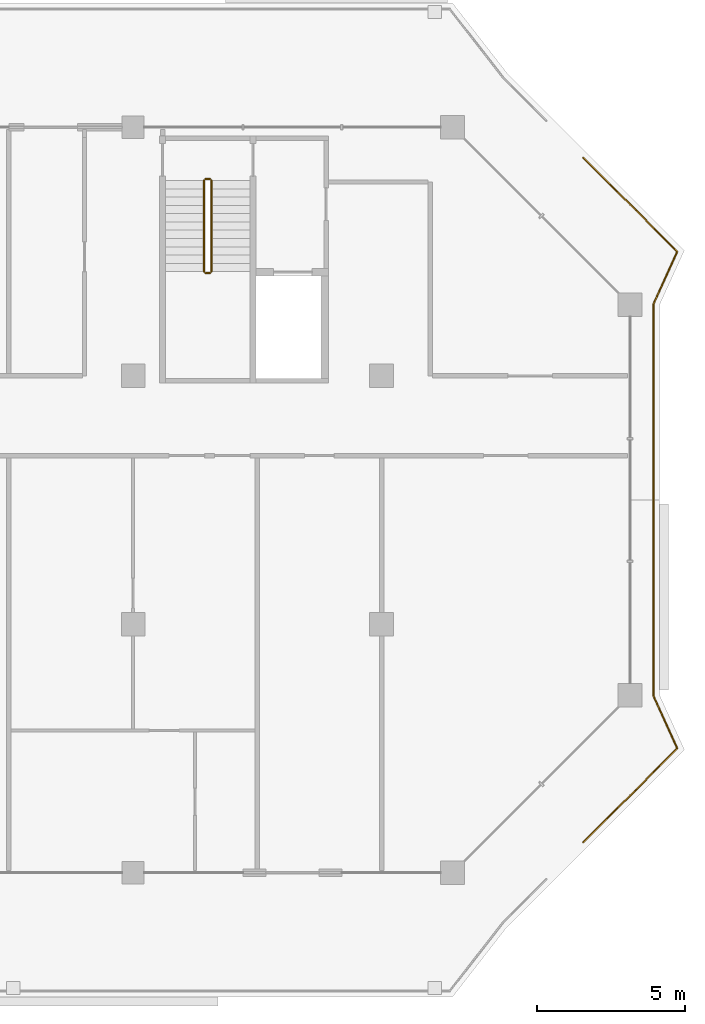
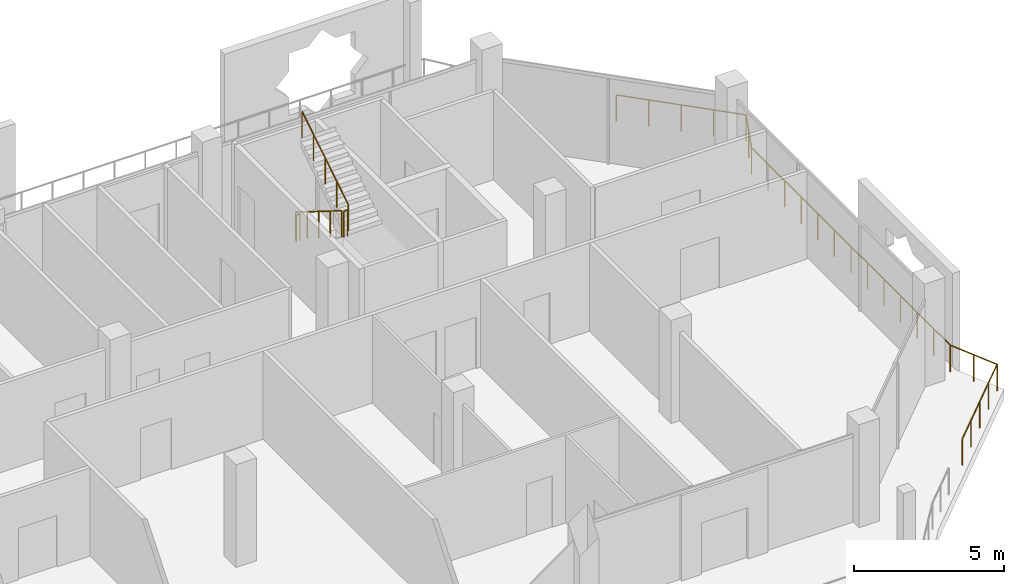
# One storey, part 19 of 20: 5 railings.
"""IFC4 building model written with IfcOpenShell, lengths in metres."""

from ifc_helpers import new_model, si_unit, direction, frame, origin, origin_2d, place, context, subcontext, project, spatial, circle, extrude, material, type_object, element, save


model = new_model("IFC4")

# Units and contexts
model_context = context("Model", 3, precision=1e-05, world=origin(), true_north=direction((0.0, 1.0)))
body_context = subcontext(model_context, "Body", "Model", "MODEL_VIEW")
ifc_project = project(units=[si_unit("LENGTHUNIT", "METRE"), si_unit("AREAUNIT", "SQUARE_METRE"), si_unit("VOLUMEUNIT", "CUBIC_METRE"), si_unit("PLANEANGLEUNIT", "RADIAN"), si_unit("MASSUNIT", "GRAM", prefix="KILO")], contexts=[model_context])

# Site, building, storey
site_placement = place(None, origin())
site = spatial("IfcSite", under=ifc_project, at=site_placement, CompositionType="ELEMENT")
building_placement = place(site_placement, origin())
building = spatial("IfcBuilding", under=site, at=building_placement, Name="Kawkab Arch Medical Tower", CompositionType="ELEMENT")
storey_placement = place(building_placement, frame((0.0, 0.0, 290.199951171875)))
storey = spatial("IfcBuildingStorey", under=building, at=storey_placement, Name="L67", CompositionType="ELEMENT", Elevation=290.199951171875)

# Railings
ifc_material_1 = material(Name="Bronze anodised aluminium guard", Category="aluminium")
railing_type_1 = type_object("IfcRailingType", Name="Loggia and terrace guard 1100", PredefinedType="GUARDRAIL", material=ifc_material_1)
railing_1_placement = place(storey_placement, frame((57.222900390625, -1.030029296875, 0.0)))
element("IfcRailing", 1, at=railing_1_placement, inside=storey, type_object=railing_type_1, Name="Guard L67.LOG-01.1.5", PredefinedType="GUARDRAIL", context=body_context, shape_type="SweptSolid", body=[
    extrude(circle(Radius=0.02392578125, at=origin_2d()), frame((0.0, 0.0, 1.076171875), z_axis=(0.707106781187, -0.707106781187, 0.0), x_axis=(0.707106781187, 0.707106781187, 0.0)), (0.0, 0.0, 1.0), 4.490234375),
    extrude(circle(Radius=0.02392578125, at=origin_2d()), frame((3.175048828125, -3.175048828125, 1.076171875), z_axis=(-0.414452581809, -0.910070907914, 0.0), x_axis=(0.910070907914, -0.414452581809, 0.0)), (0.0, 0.0, 1.0), 1.925048828125),
    extrude(circle(Radius=0.02392578125, at=origin_2d()), frame((2.377197265625, -4.927001953125, 1.076171875), z_axis=(0.0, -1.0, 0.0), x_axis=(1.0, 0.0, 0.0)), (0.0, 0.0, 1.0), 13.285888671875),
    extrude(circle(Radius=0.02392578125, at=origin_2d()), frame((2.377197265625, -18.212890625, 1.076171875), z_axis=(0.414404752076, -0.910092688388, 0.0), x_axis=(0.910092688388, 0.414404752076, 0.0)), (0.0, 0.0, 1.0), 1.92529296875),
    extrude(circle(Radius=0.02392578125, at=origin_2d()), frame((3.175048828125, -19.965087890625, 1.076171875), z_axis=(-0.707133967668, -0.70707959366, 0.0), x_axis=(0.70707959366, -0.707133967668, 0.0)), (0.0, 0.0, 1.0), 4.489990234375),
    extrude(circle(Radius=0.02099609375, at=origin_2d()), origin(), (0.0, 0.0, 1.0), 1.052001953125),
    extrude(circle(Radius=0.02099609375, at=origin_2d()), frame((0.793701171875, -0.793701171875, 0.0)), (0.0, 0.0, 1.0), 1.052001953125),
    extrude(circle(Radius=0.02099609375, at=origin_2d()), frame((1.58740234375, -1.58740234375, 0.0)), (0.0, 0.0, 1.0), 1.052001953125),
    extrude(circle(Radius=0.02099609375, at=origin_2d()), frame((2.38134765625, -2.38134765625, 0.0)), (0.0, 0.0, 1.0), 1.052001953125),
    extrude(circle(Radius=0.02099609375, at=origin_2d()), frame((3.175048828125, -3.175048828125, 0.0)), (0.0, 0.0, 1.0), 1.052001953125),
    extrude(circle(Radius=0.02099609375, at=origin_2d()), frame((2.776123046875, -4.051025390625, 0.0)), (0.0, 0.0, 1.0), 1.052001953125),
    extrude(circle(Radius=0.02099609375, at=origin_2d()), frame((2.377197265625, -4.927001953125, 0.0)), (0.0, 0.0, 1.0), 1.052001953125),
    extrude(circle(Radius=0.02099609375, at=origin_2d()), frame((2.377197265625, -6.0341796875, 0.0)), (0.0, 0.0, 1.0), 1.052001953125),
    extrude(circle(Radius=0.02099609375, at=origin_2d()), frame((2.377197265625, -7.141357421875, 0.0)), (0.0, 0.0, 1.0), 1.052001953125),
    extrude(circle(Radius=0.02099609375, at=origin_2d()), frame((2.377197265625, -8.24853515625, 0.0)), (0.0, 0.0, 1.0), 1.052001953125),
    extrude(circle(Radius=0.02099609375, at=origin_2d()), frame((2.377197265625, -9.355712890625, 0.0)), (0.0, 0.0, 1.0), 1.052001953125),
    extrude(circle(Radius=0.02099609375, at=origin_2d()), frame((2.377197265625, -10.462890625, 0.0)), (0.0, 0.0, 1.0), 1.052001953125),
    extrude(circle(Radius=0.02099609375, at=origin_2d()), frame((2.377197265625, -11.56982421875, 0.0)), (0.0, 0.0, 1.0), 1.052001953125),
    extrude(circle(Radius=0.02099609375, at=origin_2d()), frame((2.377197265625, -12.677001953125, 0.0)), (0.0, 0.0, 1.0), 1.052001953125),
    extrude(circle(Radius=0.02099609375, at=origin_2d()), frame((2.377197265625, -13.7841796875, 0.0)), (0.0, 0.0, 1.0), 1.052001953125),
    extrude(circle(Radius=0.02099609375, at=origin_2d()), frame((2.377197265625, -14.891357421875, 0.0)), (0.0, 0.0, 1.0), 1.052001953125),
    extrude(circle(Radius=0.02099609375, at=origin_2d()), frame((2.377197265625, -15.99853515625, 0.0)), (0.0, 0.0, 1.0), 1.052001953125),
    extrude(circle(Radius=0.02099609375, at=origin_2d()), frame((2.377197265625, -17.105712890625, 0.0)), (0.0, 0.0, 1.0), 1.052001953125),
    extrude(circle(Radius=0.02099609375, at=origin_2d()), frame((2.377197265625, -18.212890625, 0.0)), (0.0, 0.0, 1.0), 1.052001953125),
    extrude(circle(Radius=0.02099609375, at=origin_2d()), frame((2.776123046875, -19.0888671875, 0.0)), (0.0, 0.0, 1.0), 1.052001953125),
    extrude(circle(Radius=0.02099609375, at=origin_2d()), frame((3.175048828125, -19.965087890625, 0.0)), (0.0, 0.0, 1.0), 1.052001953125),
    extrude(circle(Radius=0.02099609375, at=origin_2d()), frame((2.38134765625, -20.7587890625, 0.0)), (0.0, 0.0, 1.0), 1.052001953125),
    extrude(circle(Radius=0.02099609375, at=origin_2d()), frame((1.58740234375, -21.552490234375, 0.0)), (0.0, 0.0, 1.0), 1.052001953125),
    extrude(circle(Radius=0.02099609375, at=origin_2d()), frame((0.793701171875, -22.34619140625, 0.0)), (0.0, 0.0, 1.0), 1.052001953125),
    extrude(circle(Radius=0.02099609375, at=origin_2d()), frame((0.0, -23.139892578125, 0.0)), (0.0, 0.0, 1.0), 1.052001953125),
])
ifc_material_2 = material(Name="Stainless steel", Category="steel")
railing_type_2 = type_object("IfcRailingType", Name="Stair guard 1100", PredefinedType="GUARDRAIL", material=ifc_material_2)
railing_2_placement = place(storey_placement, frame((44.39990234375, -1.800048828125, 0.175048828125)))
element("IfcRailing", 2, at=railing_2_placement, inside=storey, type_object=railing_type_2, Name="L67 ST5 stair guard 1", PredefinedType="GUARDRAIL", context=body_context, shape_type="SweptSolid", body=[
    extrude(circle(Radius=0.02392578125, at=origin_2d()), frame((0.0, 0.0, 1.076171875), z_axis=(0.0, -0.847979421464, 0.530029150871), x_axis=(1.0, 0.0, 0.0)), (0.0, 0.0, 1.0), 3.632080078125),
    extrude(circle(Radius=0.02099609375, at=origin_2d()), origin(), (0.0, 0.0, 1.0), 1.052001953125),
    extrude(circle(Radius=0.02099609375, at=origin_2d()), frame((0.0, -0.77001953125, 0.481201171875)), (0.0, 0.0, 1.0), 1.052001953125),
    extrude(circle(Radius=0.02099609375, at=origin_2d()), frame((0.0, -1.5400390625, 0.96240234375)), (0.0, 0.0, 1.0), 1.052001953125),
    extrude(circle(Radius=0.02099609375, at=origin_2d()), frame((0.0, -2.309814453125, 1.44384765625)), (0.0, 0.0, 1.0), 1.052001953125),
    extrude(circle(Radius=0.02099609375, at=origin_2d()), frame((0.0, -3.079833984375, 1.925048828125)), (0.0, 0.0, 1.0), 1.052001953125),
])
railing_3_placement = place(storey_placement, frame((44.449951171875, -4.929931640625, 2.10009765625)))
element("IfcRailing", 3, at=railing_3_placement, inside=storey, type_object=railing_type_2, Name="L67 ST5 stair guard 2", PredefinedType="GUARDRAIL", context=body_context, shape_type="SweptSolid", body=[
    extrude(circle(Radius=0.02392578125, at=origin_2d()), frame((0.0, 0.0, 1.076171875), z_axis=(1.0, 0.0, 0.0), x_axis=(0.0, 1.0, 0.0)), (0.0, 0.0, 1.0), 0.150146484375),
    extrude(circle(Radius=0.02099609375, at=origin_2d()), origin(), (0.0, 0.0, 1.0), 1.052001953125),
    extrude(circle(Radius=0.02099609375, at=origin_2d()), frame((0.150146484375, 0.0, 0.0)), (0.0, 0.0, 1.0), 1.052001953125),
])
railing_4_placement = place(storey_placement, frame((44.64990234375, -4.8798828125, 2.275146484375)))
element("IfcRailing", 4, at=railing_4_placement, inside=storey, type_object=railing_type_2, Name="L67 ST5 stair guard 3", PredefinedType="GUARDRAIL", context=body_context, shape_type="SweptSolid", body=[
    extrude(circle(Radius=0.02392578125, at=origin_2d()), frame((0.0, 0.0, 1.076171875), z_axis=(0.0, 0.848009633417, 0.529980812513), x_axis=(-1.0, 0.0, 0.0)), (0.0, 0.0, 1.0), 3.6318359375),
    extrude(circle(Radius=0.02099609375, at=origin_2d()), origin(), (0.0, 0.0, 1.0), 1.052001953125),
    extrude(circle(Radius=0.02099609375, at=origin_2d()), frame((0.0, 0.77001953125, 0.481201171875)), (0.0, 0.0, 1.0), 1.052001953125),
    extrude(circle(Radius=0.02099609375, at=origin_2d()), frame((0.0, 1.5400390625, 0.96240234375)), (0.0, 0.0, 1.0), 1.052001953125),
    extrude(circle(Radius=0.02099609375, at=origin_2d()), frame((0.0, 2.309814453125, 1.443603515625)), (0.0, 0.0, 1.0), 1.052001953125),
    extrude(circle(Radius=0.02099609375, at=origin_2d()), frame((0.0, 3.079833984375, 1.9248046875)), (0.0, 0.0, 1.0), 1.052001953125),
])
railing_5_placement = place(storey_placement, frame((44.449951171875, -1.75, 0.0)))
element("IfcRailing", 5, at=railing_5_placement, inside=storey, type_object=railing_type_2, Name="L67 ST5 stair guard 4", PredefinedType="GUARDRAIL", context=body_context, shape_type="SweptSolid", body=[
    extrude(circle(Radius=0.02392578125, at=origin_2d()), frame((0.0, 0.0, 1.076171875), z_axis=(1.0, 0.0, 0.0), x_axis=(0.0, 1.0, 0.0)), (0.0, 0.0, 1.0), 0.150146484375),
    extrude(circle(Radius=0.02099609375, at=origin_2d()), origin(), (0.0, 0.0, 1.0), 1.052001953125),
    extrude(circle(Radius=0.02099609375, at=origin_2d()), frame((0.150146484375, 0.0, 0.0)), (0.0, 0.0, 1.0), 1.052001953125),
])

save(model, "model.ifc")
